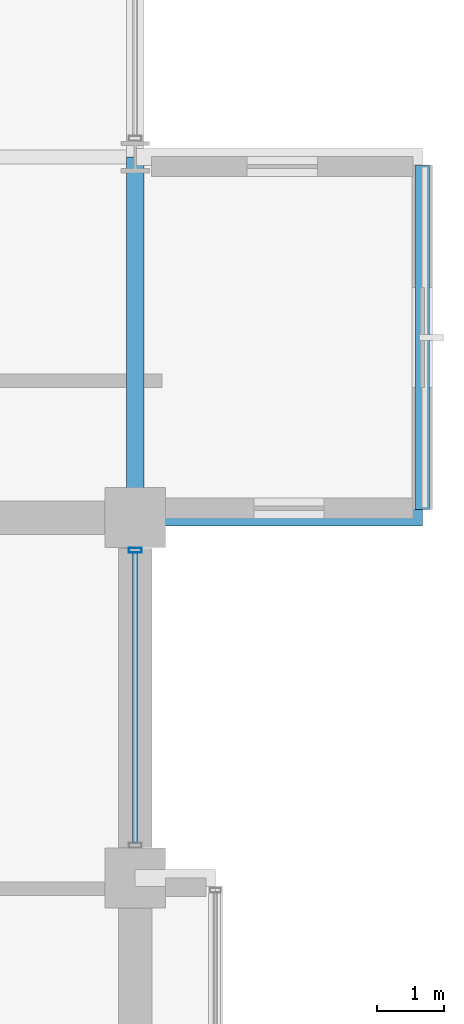
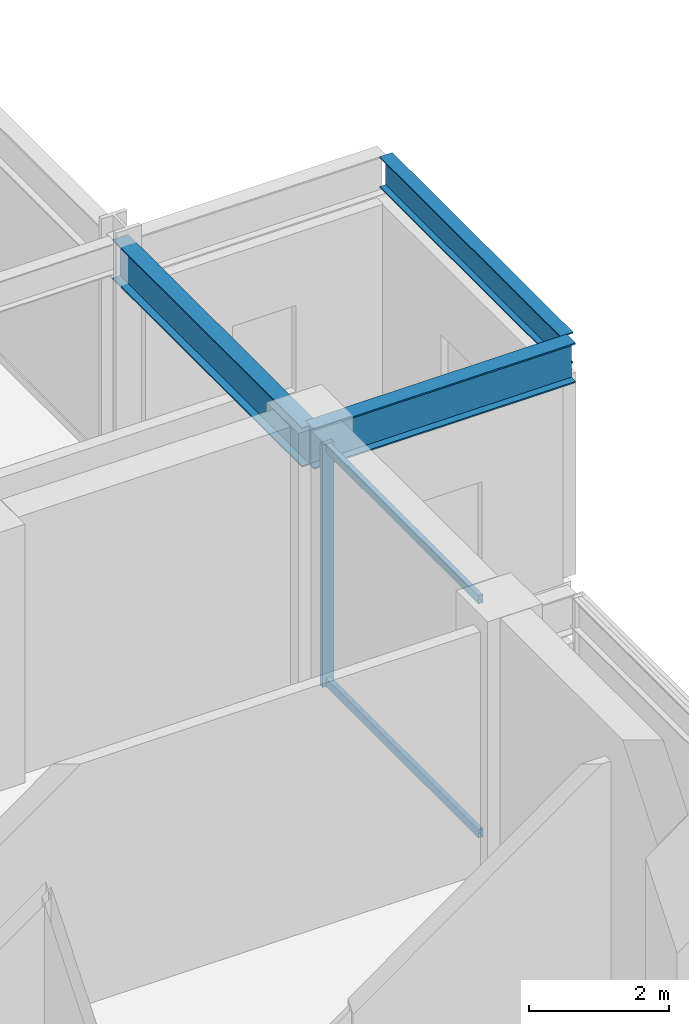
# One storey, part 10 of 21: 3 beams, 3 members, 1 element without a shape of its own.
"""IFC4 building model written with IfcOpenShell, lengths in metres."""

from ifc_helpers import new_model, si_unit, direction, frame, origin, origin_2d, place, context, subcontext, project, spatial, hollow_rectangle, i_section, extrude, material, layer, layer_set, material_profile, profile_set, type_object, element, aggregate, save


model = new_model("IFC4")

# Units and contexts
model_context = context("Model", 3, precision=1e-05, world=origin(), true_north=direction((0.0, 1.0)))
body_context = subcontext(model_context, "Body", "Model", "MODEL_VIEW")
ifc_project = project(units=[si_unit("LENGTHUNIT", "METRE"), si_unit("AREAUNIT", "SQUARE_METRE"), si_unit("VOLUMEUNIT", "CUBIC_METRE"), si_unit("PLANEANGLEUNIT", "RADIAN"), si_unit("MASSUNIT", "GRAM", prefix="KILO")], contexts=[model_context])

# Site, building, storey
site_placement = place(None, origin())
site = spatial("IfcSite", under=ifc_project, at=site_placement, CompositionType="ELEMENT")
building_placement = place(site_placement, origin())
building = spatial("IfcBuilding", under=site, at=building_placement, Name="Surkhivell Harbour Commons", CompositionType="ELEMENT")
storey_placement = place(building_placement, frame((0.0, 0.0, 346.5)))
storey = spatial("IfcBuildingStorey", under=building, at=storey_placement, Name="L90", CompositionType="ELEMENT", Elevation=346.5)

# Beams
ifc_material_1 = material(Name="Steel S460", Category="steel")
ifc_material_profile_1 = material_profile(ifc_material_1, i_section(OverallWidth=0.256103515625, OverallDepth=0.693115234375, WebThickness=0.014404296875, FlangeThickness=0.023681640625, at=origin_2d()), Name="UB686x254x170")
ifc_profile_set_1 = profile_set([ifc_material_profile_1], Name="Steel S460")
beam_type_1 = type_object("IfcBeamType", Name="BM-CNT-686", PredefinedType="BEAM", material=ifc_profile_set_1)
beam_1_placement = place(storey_placement, frame((10.800048828125, 10.800048828125, 3.87353515625), z_axis=(1.0, 0.0, 0.0), x_axis=(0.0, 1.0, 0.0)))
element("IfcBeam", 1, at=beam_1_placement, inside=storey, type_object=beam_type_1, Name="L90 Box Cantilever Outrigger (10.8,10.8)", PredefinedType="BEAM", context=body_context, shape_type="SweptSolid", body=[
    extrude(i_section(OverallWidth=0.256103515625, OverallDepth=0.693115234375, WebThickness=0.014404296875, FlangeThickness=0.023681640625, at=origin_2d()), origin(), (0.0, 0.0, 1.0), 4.300048828125),
])
ifc_material_2 = material(Name="Steel S355", Category="steel")
ifc_material_profile_2 = material_profile(ifc_material_2, i_section(OverallWidth=0.2099609375, OverallDepth=0.537109375, WebThickness=0.0107421875, FlangeThickness=0.017333984375, at=origin_2d()), Name="UB533x210x101")
ifc_profile_set_2 = profile_set([ifc_material_profile_2], Name="Steel S355")
beam_type_2 = type_object("IfcBeamType", Name="BM-GRD-533B", PredefinedType="BEAM", material=ifc_profile_set_2)
beam_2_placement = place(storey_placement, frame((15.10009765625, 10.922119140625, 3.951416015625), z_axis=(0.0, 1.0, 0.0), x_axis=(-1.0, 0.0, 0.0)))
element("IfcBeam", 2, at=beam_2_placement, inside=storey, type_object=beam_type_2, Name="L90 Box Rim Spandrel (15.1,10.8)", PredefinedType="BEAM", context=body_context, shape_type="SweptSolid", body=[
    extrude(i_section(OverallWidth=0.2099609375, OverallDepth=0.537109375, WebThickness=0.0107421875, FlangeThickness=0.017333984375, at=origin_2d()), origin(), (0.0, 0.0, 1.0), 5.15576171875),
])
ifc_material_profile_3 = material_profile(ifc_material_2, i_section(OverallWidth=0.256103515625, OverallDepth=0.693115234375, WebThickness=0.014404296875, FlangeThickness=0.023681640625, at=origin_2d()), Name="UB686x254x170")
ifc_profile_set_3 = profile_set([ifc_material_profile_3], Name="Steel S355")
beam_type_3 = type_object("IfcBeamType", Name="BM-SPN-686", PredefinedType="SPANDREL", material=ifc_profile_set_3)
beam_3_placement = place(storey_placement, frame((10.800048828125, 10.800048828125, 3.87353515625), z_axis=(0.0, 1.0, 0.0), x_axis=(-1.0, 0.0, 0.0)))
element("IfcBeam", 3, at=beam_3_placement, inside=storey, type_object=beam_type_3, Name="L90 Tube Spandrel (10.8,10.8)", PredefinedType="SPANDREL", context=body_context, shape_type="SweptSolid", body=[
    extrude(i_section(OverallWidth=0.256103515625, OverallDepth=0.693115234375, WebThickness=0.014404296875, FlangeThickness=0.023681640625, at=origin_2d()), origin(), (0.0, 0.0, 1.0), 5.39990234375),
])

# Curtain wall, members
ifc_material_3 = material(Name="Anodised pale-metal aluminium and insulated glazing", Category="aluminium")
ifc_layer = layer(ifc_material_3, 0.22998046875)
ifc_layer_set = layer_set([ifc_layer], Name="Anodised pale-metal aluminium and insulated glazing")
curtain_wall_type = type_object("IfcCurtainWallType", Name="CW-SYS-CRN", PredefinedType="NOTDEFINED", material=ifc_layer_set)
curtain_wall_placement = place(storey_placement, origin())
curtain_wall = element("IfcCurtainWall", 4, at=curtain_wall_placement, inside=storey, type_object=curtain_wall_type, Name="L90 Curtain Wall CW-L90-C07S2", PredefinedType="NOTDEFINED")
ifc_material_4 = material(Name="Anodised pale-metal aluminium alloy 6063-T6", Category="aluminium")
ifc_material_profile_4 = material_profile(ifc_material_4, hollow_rectangle(XDim=0.074951171875, YDim=0.18994140625, WallThickness=0.00390625, at=origin_2d()), Name="ALU-MULL-75x190")
ifc_profile_set_4 = profile_set([ifc_material_profile_4], Name="Anodised pale-metal aluminium alloy 6063-T6")
member_type_1 = type_object("IfcMemberType", Name="CWM-190", PredefinedType="MULLION", material=ifc_profile_set_4)
member_1_placement = place(storey_placement, frame((10.800048828125, 10.310546875, 0.0), z_axis=(0.0, 0.0, 1.0), x_axis=(0.0, 1.0, 0.0)))
member_1 = element("IfcMember", 5, at=member_1_placement, type_object=member_type_1, Name="CW-CRN mullion 2", PredefinedType="MULLION", context=body_context, shape_type="SweptSolid", body=[
    extrude(hollow_rectangle(XDim=0.074951171875, YDim=0.18994140625, WallThickness=0.00390625, at=origin_2d()), origin(), (0.0, 0.0, 1.0), 4.219970703125),
])
ifc_material_profile_5 = material_profile(ifc_material_4, hollow_rectangle(XDim=0.074951171875, YDim=0.14990234375, WallThickness=0.00341796875, at=origin_2d()), Name="ALU-TRAN-75x150")
ifc_profile_set_5 = profile_set([ifc_material_profile_5], Name="Anodised pale-metal aluminium alloy 6063-T6")
member_type_2 = type_object("IfcMemberType", Name="CWT-150", PredefinedType="USERDEFINED", material=ifc_profile_set_5)
member_2_placement = place(storey_placement, frame((10.800048828125, 5.927001953125, 0.074951171875), z_axis=(0.0, 1.0, 0.0), x_axis=(-1.0, 0.0, 0.0)))
member_2 = element("IfcMember", 6, at=member_2_placement, type_object=member_type_2, Name="CW-CRN transom 1.1", ObjectType="TRANSOM", PredefinedType="USERDEFINED", context=body_context, shape_type="SweptSolid", body=[
    extrude(hollow_rectangle(XDim=0.074951171875, YDim=0.14990234375, WallThickness=0.00341796875, at=origin_2d()), origin(), (0.0, 0.0, 1.0), 4.345947265625),
])
member_3_placement = place(storey_placement, frame((10.800048828125, 5.927001953125, 4.14501953125), z_axis=(0.0, 1.0, 0.0), x_axis=(-1.0, 0.0, 0.0)))
member_3 = element("IfcMember", 7, at=member_3_placement, type_object=member_type_2, Name="CW-CRN transom 1.2", ObjectType="TRANSOM", PredefinedType="USERDEFINED", context=body_context, shape_type="SweptSolid", body=[
    extrude(hollow_rectangle(XDim=0.074951171875, YDim=0.14990234375, WallThickness=0.00341796875, at=origin_2d()), origin(), (0.0, 0.0, 1.0), 4.345947265625),
])
aggregate(curtain_wall, [member_1, member_2, member_3])

save(model, "model.ifc")
